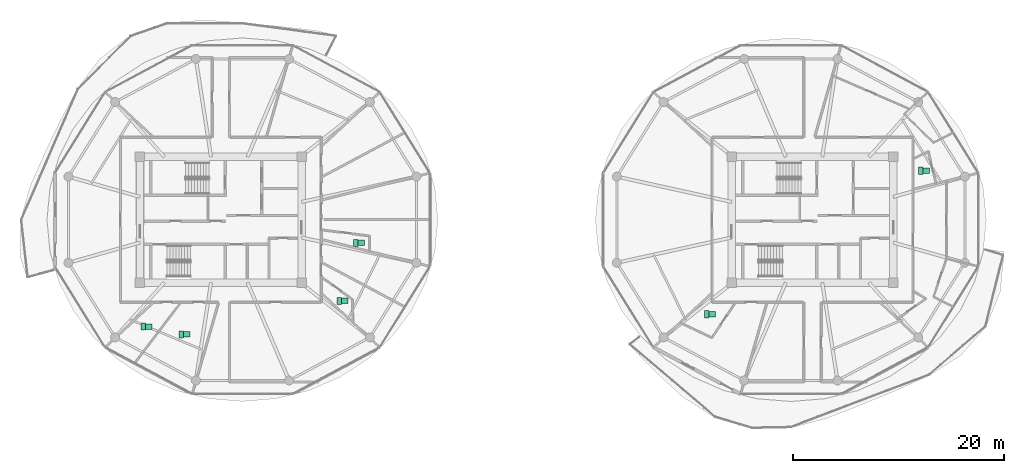
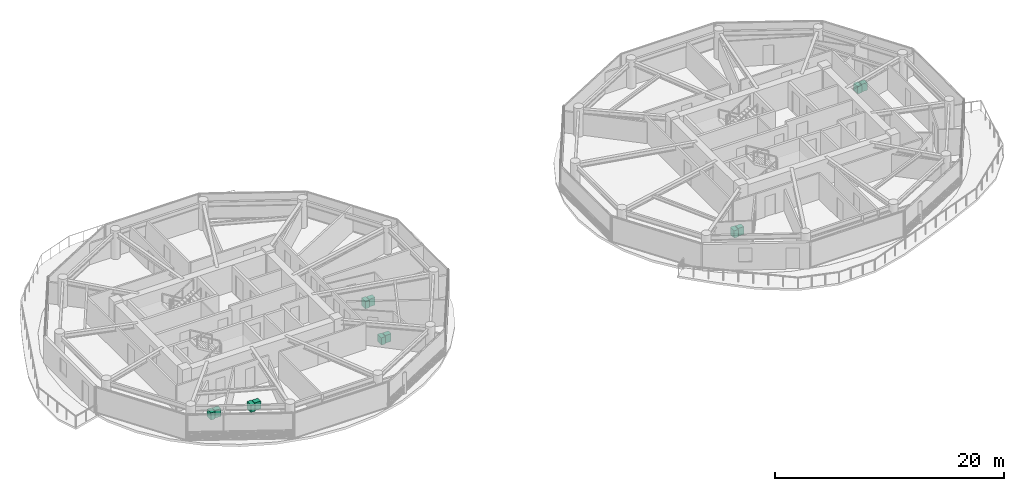
# One storey, part 25 of 25: 12 sanitary terminals.
"""IFC4 building model written with IfcOpenShell, lengths in metres."""

from ifc_helpers import new_model, si_unit, direction, frame, origin, origin_2d, place, context, subcontext, project, spatial, rectangle, extrude, source, transform, mapped, material, type_object, type_shapes, element, save


model = new_model("IFC4")

# Units and contexts
model_context = context("Model", 3, precision=1e-05, world=origin(), true_north=direction((0.0, 1.0)))
body_context = subcontext(model_context, "Body", "Model", "MODEL_VIEW")
ifc_project = project(units=[si_unit("LENGTHUNIT", "METRE"), si_unit("AREAUNIT", "SQUARE_METRE"), si_unit("VOLUMEUNIT", "CUBIC_METRE"), si_unit("PLANEANGLEUNIT", "RADIAN"), si_unit("MASSUNIT", "GRAM", prefix="KILO")], contexts=[model_context])

# Site, building, storey
site_placement = place(None, origin())
site = spatial("IfcSite", under=ifc_project, at=site_placement, CompositionType="ELEMENT")
building_placement = place(site_placement, origin())
building = spatial("IfcBuilding", under=site, at=building_placement, Name="Norrkilde Senior Care Towers", CompositionType="ELEMENT")
storey_placement = place(building_placement, frame((0.0, 0.0, 84.050048828125)))
storey = spatial("IfcBuildingStorey", under=building, at=storey_placement, Name="L25", CompositionType="ELEMENT", Elevation=84.050048828125)

# Sanitary terminals
ifc_material = material(Name="Porcelain Ceramic")
sanitary_terminal_type_1 = type_object("IfcSanitaryTerminalType", Name="Accessible Senior WC Suite", PredefinedType="TOILETPAN", material=ifc_material)
shared_shape_1 = source(origin(), body_context, "Body", "SweptSolid", [
    extrude(rectangle(XDim=0.419921875, YDim=0.679931640625, at=origin_2d()), origin(), (0.0, 0.0, 1.0), 0.780029296875),
])
type_shapes(sanitary_terminal_type_1, [shared_shape_1])
for number, where, z_axis, x_axis, name in (
    (1, (-35.3486328125, -10.1171875, 0.0), (0.0, 0.0, 1.0), (1.0, 0.0, 0.0), "L25 Accessible WC Pan 0096"),
    (2, (-31.75634765625, -10.851806640625, 0.0), (0.0, 0.0, 1.0), (1.0, 0.0, 0.0), "L25 Accessible WC Pan 0097"),
    (3, (-16.797119140625, -7.680908203125, 0.0), (0.0, 0.0, 1.0), (1.0, 0.0, 0.0), "L25 Accessible WC Pan 0098"),
    (4, (-15.24658203125, -2.192626953125, 0.0), (0.0, 0.0, 1.0), (1.0, 0.0, 0.0), "L25 Accessible WC Pan 0099"),
    (5, (17.972412109375, -8.9501953125, 0.0), (0.0, 0.0, 1.0), (1.0, 0.0, 0.0), "L25 Accessible WC Pan 0100"),
    (6, (38.237060546875, 4.631591796875, 0.0), (0.0, 0.0, 1.0), (1.0, 0.0, 0.0), "L25 Accessible WC Pan 0101"),
):
    element("IfcSanitaryTerminal", number, at=place(storey_placement, frame(where, z_axis=z_axis, x_axis=x_axis)), inside=storey, type_object=sanitary_terminal_type_1, Name=name, PredefinedType="TOILETPAN", context=body_context, shape_type="MappedRepresentation", body=[
        mapped(shared_shape_1, transform((0.0, 0.0, 0.0), x_axis=(1.0, 0.0, 0.0), y_axis=(0.0, 1.0, 0.0), z_axis=(0.0, 0.0, 1.0), scale=1.0)),
    ])
sanitary_terminal_type_2 = type_object("IfcSanitaryTerminalType", Name="Thermostatic Care Washbasin", PredefinedType="WASHHANDBASIN", material=ifc_material)
shared_shape_2 = source(origin(), body_context, "Body", "SweptSolid", [
    extrude(rectangle(XDim=0.60009765625, YDim=0.5, at=origin_2d()), origin(), (0.0, 0.0, 1.0), 0.820068359375),
])
type_shapes(sanitary_terminal_type_2, [shared_shape_2])
for number, where, z_axis, x_axis, name in (
    (7, (-34.818603515625, -10.1171875, 0.0), (0.0, 0.0, 1.0), (1.0, 0.0, 0.0), "L25 Accessible Washbasin 0096"),
    (8, (-31.226318359375, -10.851806640625, 0.0), (0.0, 0.0, 1.0), (1.0, 0.0, 0.0), "L25 Accessible Washbasin 0097"),
    (9, (-16.26708984375, -7.680908203125, 0.0), (0.0, 0.0, 1.0), (1.0, 0.0, 0.0), "L25 Accessible Washbasin 0098"),
    (10, (-14.716796875, -2.192626953125, 0.0), (0.0, 0.0, 1.0), (1.0, 0.0, 0.0), "L25 Accessible Washbasin 0099"),
    (11, (18.50244140625, -8.9501953125, 0.0), (0.0, 0.0, 1.0), (1.0, 0.0, 0.0), "L25 Accessible Washbasin 0100"),
    (12, (38.76708984375, 4.631591796875, 0.0), (0.0, 0.0, 1.0), (1.0, 0.0, 0.0), "L25 Accessible Washbasin 0101"),
):
    element("IfcSanitaryTerminal", number, at=place(storey_placement, frame(where, z_axis=z_axis, x_axis=x_axis)), inside=storey, type_object=sanitary_terminal_type_2, Name=name, PredefinedType="WASHHANDBASIN", context=body_context, shape_type="MappedRepresentation", body=[
        mapped(shared_shape_2, transform((0.0, 0.0, 0.0), x_axis=(1.0, 0.0, 0.0), y_axis=(0.0, 1.0, 0.0), z_axis=(0.0, 0.0, 1.0), scale=1.0)),
    ])

save(model, "model.ifc")
